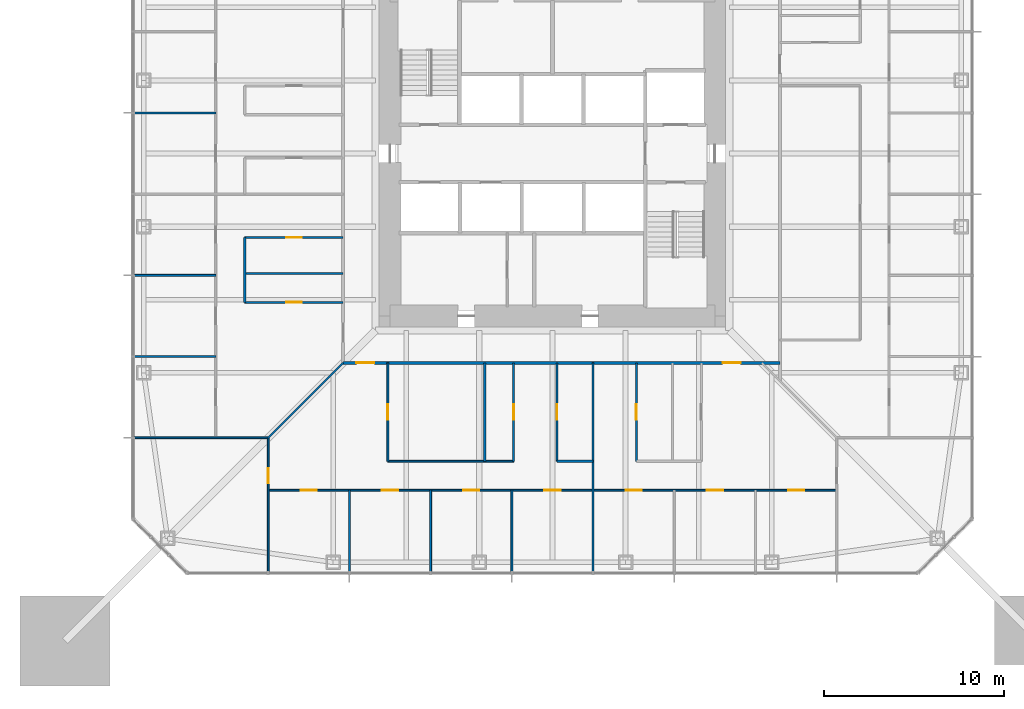
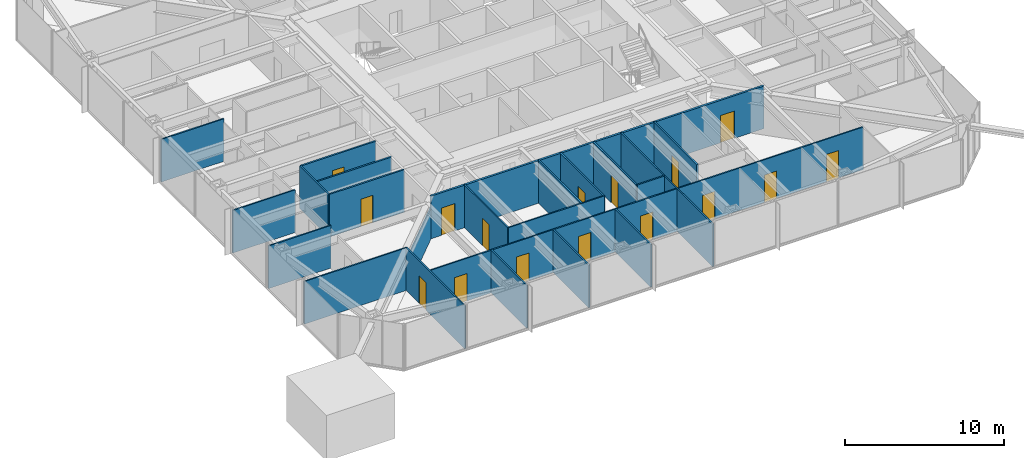
# One storey, part 14 of 26: 23 walls, 16 doors, 16 openings.
"""IFC4 building model written with IfcOpenShell, lengths in metres."""

from ifc_helpers import new_model, si_unit, direction, frame, frame_2d, origin, place, context, subcontext, project, spatial, rectangle, extrude, material, layer, layer_set, type_object, element, fill, save


model = new_model("IFC4")

# Units and contexts
model_context = context("Model", 3, precision=1e-05, world=origin(), true_north=direction((0.0, 1.0)))
body_context = subcontext(model_context, "Body", "Model", "MODEL_VIEW")
ifc_project = project(units=[si_unit("LENGTHUNIT", "METRE"), si_unit("AREAUNIT", "SQUARE_METRE"), si_unit("VOLUMEUNIT", "CUBIC_METRE"), si_unit("PLANEANGLEUNIT", "RADIAN"), si_unit("MASSUNIT", "GRAM", prefix="KILO")], contexts=[model_context])

# Site, building, storey
site_placement = place(None, origin())
site = spatial("IfcSite", under=ifc_project, at=site_placement, CompositionType="ELEMENT")
building_placement = place(site_placement, origin())
building = spatial("IfcBuilding", under=site, at=building_placement, Name="Iwan Alto Co-Living Towers", CompositionType="ELEMENT")
storey_placement = place(building_placement, frame((0.0, 0.0, 67.5)))
storey = spatial("IfcBuildingStorey", under=building, at=storey_placement, Name="L18", CompositionType="ELEMENT", Elevation=67.5)

# Wall, openings, doors
ifc_material_1 = material(Name="Gypsum board")
ifc_layer_1 = layer(ifc_material_1, 0.02490234375, Name="Board", Category="Finish")
ifc_material_2 = material(Name="Steel ASTM A1003 ST33H cold-formed studs", Category="steel")
ifc_layer_2 = layer(ifc_material_2, 0.10009765625, Name="Studs", Category="Framing")
ifc_layer_3 = layer(ifc_material_1, 0.02490234375, Name="Board", Category="Finish")
ifc_layer_set_1 = layer_set([ifc_layer_1, ifc_layer_2, ifc_layer_3], Name="CORRIDOR WALL 150")
wall_type_1 = type_object("IfcWallType", Name="CORRIDOR WALL 150", PredefinedType="PARTITIONING", material=ifc_layer_set_1)
wall_1_placement = place(storey_placement, frame((-11.60009765625, -11.60009765625, 0.0), z_axis=(0.0, 0.0, 1.0), x_axis=(1.0, 0.0, 0.0)))
wall_1 = element("IfcWall", 1, at=wall_1_placement, inside=storey, type_object=wall_type_1, Name="Partition L18", PredefinedType="PARTITIONING", context=body_context, shape_type="SweptSolid", body=[
    extrude(rectangle(XDim=24.2001953125, YDim=0.14990234375, at=frame_2d((12.10009765625, 0.0))), origin(), (0.0, 0.0, 1.0), 3.27001953125),
])
opening_1_placement = place(wall_1_placement, frame((0.739990234375, 0.0, 0.0)))
opening_1 = element("IfcOpeningElement", 2, at=opening_1_placement, cuts=wall_1, Name="Opening D3", PredefinedType="OPENING", context=body_context, shape_type="SweptSolid", body=[
    extrude(rectangle(XDim=1.0, YDim=2.10009765625, at=frame_2d((0.5, 1.050048828125))), frame((0.0, 0.0849609375, 0.0), z_axis=(0.0, -1.0, 0.0), x_axis=(1.0, 0.0, 0.0)), (0.0, 0.0, 1.0), 0.169921875),
])
opening_2_placement = place(wall_1_placement, frame((21.02490234375, 0.0, 0.0)))
opening_2 = element("IfcOpeningElement", 3, at=opening_2_placement, cuts=wall_1, Name="Opening D3", PredefinedType="OPENING", context=body_context, shape_type="SweptSolid", body=[
    extrude(rectangle(XDim=1.0, YDim=2.10009765625, at=frame_2d((0.5, 1.050048828125))), frame((0.0, 0.0849609375, 0.0), z_axis=(0.0, -1.0, 0.0), x_axis=(1.0, 0.0, 0.0)), (0.0, 0.0, 1.0), 0.169921875),
])
ifc_material_3 = material(Name="Steel frame with timber leaf", Category="steel")
door_type_1 = type_object("IfcDoorType", Name="FLAT ENTRANCE DOOR FD30S 1000X2100", OperationType="SINGLE_SWING_LEFT", PredefinedType="DOOR", material=ifc_material_3)
door_1_placement = place(opening_1_placement, frame((1.0, 0.0, 0.0), z_axis=(0.0, 0.0, 1.0), x_axis=(-1.0, 0.0, 0.0)))
door_1 = element("IfcDoor", 4, at=door_1_placement, inside=storey, type_object=door_type_1, Name="Cluster lounge door L18", OperationType="SINGLE_SWING_LEFT", OverallHeight=2.10009765625, OverallWidth=1.0, PredefinedType="DOOR", context=body_context, shape_type="SweptSolid", body=[
    extrude(rectangle(XDim=1.0, YDim=2.10009765625, at=frame_2d((0.5, 1.050048828125))), frame((0.0, 0.02490234375, 0.0), z_axis=(0.0, -1.0, 0.0), x_axis=(1.0, 0.0, 0.0)), (0.0, 0.0, 1.0), 0.050048828125),
])
fill(opening_1, door_1)
door_2_placement = place(opening_2_placement, frame((1.0, 0.0, 0.0), z_axis=(0.0, 0.0, 1.0), x_axis=(-1.0, 0.0, 0.0)))
door_2 = element("IfcDoor", 5, at=door_2_placement, inside=storey, type_object=door_type_1, Name="Cluster lounge door L18", OperationType="SINGLE_SWING_RIGHT", OverallHeight=2.10009765625, OverallWidth=1.0, PredefinedType="DOOR", context=body_context, shape_type="SweptSolid", body=[
    extrude(rectangle(XDim=1.0, YDim=2.10009765625, at=frame_2d((0.5, 1.050048828125))), frame((0.0, 0.02490234375, 0.0), z_axis=(0.0, -1.0, 0.0), x_axis=(1.0, 0.0, 0.0)), (0.0, 0.0, 1.0), 0.050048828125),
])
fill(opening_2, door_2)

ifc_layer_4 = layer(ifc_material_1, 0.012451171875, Name="Board", Category="Finish")
ifc_layer_5 = layer(ifc_material_2, 0.074951171875, Name="Studs", Category="Framing")
ifc_layer_6 = layer(ifc_material_1, 0.012451171875, Name="Board", Category="Finish")
ifc_layer_set_2 = layer_set([ifc_layer_4, ifc_layer_5, ifc_layer_6], Name="PARTITION 100")
wall_type_2 = type_object("IfcWallType", Name="PARTITION 100", PredefinedType="PARTITIONING", material=ifc_layer_set_2)
wall_2_placement = place(storey_placement, frame((-15.75, -18.64990234375, 0.0), z_axis=(0.0, 0.0, 1.0), x_axis=(1.0, 0.0, 0.0)))
wall_2 = element("IfcWall", 6, at=wall_2_placement, inside=storey, type_object=wall_type_2, Name="Partition L18", PredefinedType="PARTITIONING", context=body_context, shape_type="SweptSolid", body=[
    extrude(rectangle(XDim=31.5, YDim=0.10009765625, at=frame_2d((15.75, 0.0))), origin(), (0.0, 0.0, 1.0), 3.27001953125),
])
opening_3_placement = place(wall_2_placement, frame((1.800048828125, 0.0, 0.0)))
opening_3 = element("IfcOpeningElement", 7, at=opening_3_placement, cuts=wall_2, Name="Opening D1", PredefinedType="OPENING", context=body_context, shape_type="SweptSolid", body=[
    extrude(rectangle(XDim=0.89990234375, YDim=2.10009765625, at=frame_2d((0.449951171875, 1.050048828125))), frame((0.0, 0.06005859375, 0.0), z_axis=(0.0, -1.0, 0.0), x_axis=(1.0, 0.0, 0.0)), (0.0, 0.0, 1.0), 0.1201171875),
])
opening_4_placement = place(wall_2_placement, frame((6.300048828125, 0.0, 0.0)))
opening_4 = element("IfcOpeningElement", 8, at=opening_4_placement, cuts=wall_2, Name="Opening D1", PredefinedType="OPENING", context=body_context, shape_type="SweptSolid", body=[
    extrude(rectangle(XDim=0.89990234375, YDim=2.10009765625, at=frame_2d((0.449951171875, 1.050048828125))), frame((0.0, 0.06005859375, 0.0), z_axis=(0.0, -1.0, 0.0), x_axis=(1.0, 0.0, 0.0)), (0.0, 0.0, 1.0), 0.1201171875),
])
opening_5_placement = place(wall_2_placement, frame((10.800048828125, 0.0, 0.0)))
opening_5 = element("IfcOpeningElement", 9, at=opening_5_placement, cuts=wall_2, Name="Opening D1", PredefinedType="OPENING", context=body_context, shape_type="SweptSolid", body=[
    extrude(rectangle(XDim=0.89990234375, YDim=2.10009765625, at=frame_2d((0.449951171875, 1.050048828125))), frame((0.0, 0.06005859375, 0.0), z_axis=(0.0, -1.0, 0.0), x_axis=(1.0, 0.0, 0.0)), (0.0, 0.0, 1.0), 0.1201171875),
])
opening_6_placement = place(wall_2_placement, frame((15.300048828125, 0.0, 0.0)))
opening_6 = element("IfcOpeningElement", 10, at=opening_6_placement, cuts=wall_2, Name="Opening D1", PredefinedType="OPENING", context=body_context, shape_type="SweptSolid", body=[
    extrude(rectangle(XDim=0.89990234375, YDim=2.10009765625, at=frame_2d((0.449951171875, 1.050048828125))), frame((0.0, 0.06005859375, 0.0), z_axis=(0.0, -1.0, 0.0), x_axis=(1.0, 0.0, 0.0)), (0.0, 0.0, 1.0), 0.1201171875),
])
opening_7_placement = place(wall_2_placement, frame((19.800048828125, 0.0, 0.0)))
opening_7 = element("IfcOpeningElement", 11, at=opening_7_placement, cuts=wall_2, Name="Opening D1", PredefinedType="OPENING", context=body_context, shape_type="SweptSolid", body=[
    extrude(rectangle(XDim=0.89990234375, YDim=2.10009765625, at=frame_2d((0.449951171875, 1.050048828125))), frame((0.0, 0.06005859375, 0.0), z_axis=(0.0, -1.0, 0.0), x_axis=(1.0, 0.0, 0.0)), (0.0, 0.0, 1.0), 0.1201171875),
])
opening_8_placement = place(wall_2_placement, frame((24.300048828125, 0.0, 0.0)))
opening_8 = element("IfcOpeningElement", 12, at=opening_8_placement, cuts=wall_2, Name="Opening D1", PredefinedType="OPENING", context=body_context, shape_type="SweptSolid", body=[
    extrude(rectangle(XDim=0.89990234375, YDim=2.10009765625, at=frame_2d((0.449951171875, 1.050048828125))), frame((0.0, 0.06005859375, 0.0), z_axis=(0.0, -1.0, 0.0), x_axis=(1.0, 0.0, 0.0)), (0.0, 0.0, 1.0), 0.1201171875),
])
opening_9_placement = place(wall_2_placement, frame((28.800048828125, 0.0, 0.0)))
opening_9 = element("IfcOpeningElement", 13, at=opening_9_placement, cuts=wall_2, Name="Opening D1", PredefinedType="OPENING", context=body_context, shape_type="SweptSolid", body=[
    extrude(rectangle(XDim=0.89990234375, YDim=2.10009765625, at=frame_2d((0.449951171875, 1.050048828125))), frame((0.0, 0.06005859375, 0.0), z_axis=(0.0, -1.0, 0.0), x_axis=(1.0, 0.0, 0.0)), (0.0, 0.0, 1.0), 0.1201171875),
])
ifc_material_4 = material(Name="Timber leaf in steel frame", Category="steel")
door_type_2 = type_object("IfcDoorType", Name="BEDROOM DOOR 900X2100", OperationType="SINGLE_SWING_LEFT", PredefinedType="DOOR", material=ifc_material_4)
door_3_placement = place(opening_3_placement, origin())
door_3 = element("IfcDoor", 14, at=door_3_placement, inside=storey, type_object=door_type_2, Name="Study bedroom door L18", OperationType="SINGLE_SWING_LEFT", OverallHeight=2.10009765625, OverallWidth=0.89990234375, PredefinedType="DOOR", context=body_context, shape_type="SweptSolid", body=[
    extrude(rectangle(XDim=0.89990234375, YDim=2.10009765625, at=frame_2d((0.449951171875, 1.050048828125))), frame((0.0, 0.02490234375, 0.0), z_axis=(0.0, -1.0, 0.0), x_axis=(1.0, 0.0, 0.0)), (0.0, 0.0, 1.0), 0.050048828125),
])
fill(opening_3, door_3)
door_4_placement = place(opening_4_placement, origin())
door_4 = element("IfcDoor", 15, at=door_4_placement, inside=storey, type_object=door_type_2, Name="Study bedroom door L18", OperationType="SINGLE_SWING_LEFT", OverallHeight=2.10009765625, OverallWidth=0.89990234375, PredefinedType="DOOR", context=body_context, shape_type="SweptSolid", body=[
    extrude(rectangle(XDim=0.89990234375, YDim=2.10009765625, at=frame_2d((0.449951171875, 1.050048828125))), frame((0.0, 0.02490234375, 0.0), z_axis=(0.0, -1.0, 0.0), x_axis=(1.0, 0.0, 0.0)), (0.0, 0.0, 1.0), 0.050048828125),
])
fill(opening_4, door_4)
door_5_placement = place(opening_5_placement, origin())
door_5 = element("IfcDoor", 16, at=door_5_placement, inside=storey, type_object=door_type_2, Name="Study bedroom door L18", OperationType="SINGLE_SWING_RIGHT", OverallHeight=2.10009765625, OverallWidth=0.89990234375, PredefinedType="DOOR", context=body_context, shape_type="SweptSolid", body=[
    extrude(rectangle(XDim=0.89990234375, YDim=2.10009765625, at=frame_2d((0.449951171875, 1.050048828125))), frame((0.0, 0.02490234375, 0.0), z_axis=(0.0, -1.0, 0.0), x_axis=(1.0, 0.0, 0.0)), (0.0, 0.0, 1.0), 0.050048828125),
])
fill(opening_5, door_5)
door_6_placement = place(opening_6_placement, origin())
door_6 = element("IfcDoor", 17, at=door_6_placement, inside=storey, type_object=door_type_2, Name="Study bedroom door L18", OperationType="SINGLE_SWING_RIGHT", OverallHeight=2.10009765625, OverallWidth=0.89990234375, PredefinedType="DOOR", context=body_context, shape_type="SweptSolid", body=[
    extrude(rectangle(XDim=0.89990234375, YDim=2.10009765625, at=frame_2d((0.449951171875, 1.050048828125))), frame((0.0, 0.02490234375, 0.0), z_axis=(0.0, -1.0, 0.0), x_axis=(1.0, 0.0, 0.0)), (0.0, 0.0, 1.0), 0.050048828125),
])
fill(opening_6, door_6)
door_7_placement = place(opening_7_placement, origin())
door_7 = element("IfcDoor", 18, at=door_7_placement, inside=storey, type_object=door_type_2, Name="Study bedroom door L18", OperationType="SINGLE_SWING_LEFT", OverallHeight=2.10009765625, OverallWidth=0.89990234375, PredefinedType="DOOR", context=body_context, shape_type="SweptSolid", body=[
    extrude(rectangle(XDim=0.89990234375, YDim=2.10009765625, at=frame_2d((0.449951171875, 1.050048828125))), frame((0.0, 0.02490234375, 0.0), z_axis=(0.0, -1.0, 0.0), x_axis=(1.0, 0.0, 0.0)), (0.0, 0.0, 1.0), 0.050048828125),
])
fill(opening_7, door_7)
door_8_placement = place(opening_8_placement, origin())
door_8 = element("IfcDoor", 19, at=door_8_placement, inside=storey, type_object=door_type_2, Name="Study bedroom door L18", OperationType="SINGLE_SWING_LEFT", OverallHeight=2.10009765625, OverallWidth=0.89990234375, PredefinedType="DOOR", context=body_context, shape_type="SweptSolid", body=[
    extrude(rectangle(XDim=0.89990234375, YDim=2.10009765625, at=frame_2d((0.449951171875, 1.050048828125))), frame((0.0, 0.02490234375, 0.0), z_axis=(0.0, -1.0, 0.0), x_axis=(1.0, 0.0, 0.0)), (0.0, 0.0, 1.0), 0.050048828125),
])
fill(opening_8, door_8)
door_9_placement = place(opening_9_placement, origin())
door_9 = element("IfcDoor", 20, at=door_9_placement, inside=storey, type_object=door_type_2, Name="Study bedroom door L18", OperationType="SINGLE_SWING_RIGHT", OverallHeight=2.10009765625, OverallWidth=0.89990234375, PredefinedType="DOOR", context=body_context, shape_type="SweptSolid", body=[
    extrude(rectangle(XDim=0.89990234375, YDim=2.10009765625, at=frame_2d((0.449951171875, 1.050048828125))), frame((0.0, 0.02490234375, 0.0), z_axis=(0.0, -1.0, 0.0), x_axis=(1.0, 0.0, 0.0)), (0.0, 0.0, 1.0), 0.050048828125),
])
fill(opening_9, door_9)

# Walls
wall_3_placement = place(storey_placement, frame((-9.1201171875, -17.050048828125, 0.0), z_axis=(0.0, 0.0, 1.0), x_axis=(1.0, 0.0, 0.0)))
element("IfcWall", 21, at=wall_3_placement, inside=storey, type_object=wall_type_2, Name="Partition L18", PredefinedType="PARTITIONING", context=body_context, shape_type="SweptSolid", body=[
    extrude(rectangle(XDim=6.97021484375, YDim=0.10009765625, at=frame_2d((3.485107421875, 0.0))), origin(), (0.0, 0.0, 1.0), 3.27001953125),
])
wall_4_placement = place(storey_placement, frame((-23.18994140625, -15.75, 0.0), z_axis=(0.0, 0.0, 1.0), x_axis=(1.0, 0.0, 0.0)))
element("IfcWall", 22, at=wall_4_placement, inside=storey, type_object=wall_type_2, Name="Partition L18", PredefinedType="PARTITIONING", context=body_context, shape_type="SweptSolid", body=[
    extrude(rectangle(XDim=7.43994140625, YDim=0.10009765625, at=frame_2d((3.719970703125, 0.0))), origin(), (0.0, 0.0, 1.0), 3.27001953125),
])
for number, where, z_axis, x_axis, name in (
    (23, (-23.18994140625, -11.25, 0.0), (0.0, 0.0, 1.0), (1.0, 0.0, 0.0), "Partition L18"),
    (24, (-23.18994140625, -6.75, 0.0), (0.0, 0.0, 1.0), (1.0, 0.0, 0.0), "Partition L18"),
    (25, (-23.18994140625, 2.25, 0.0), (0.0, 0.0, 1.0), (1.0, 0.0, 0.0), "Partition L18"),
):
    element("IfcWall", number, at=place(storey_placement, frame(where, z_axis=z_axis, x_axis=x_axis)), inside=storey, type_object=wall_type_2, Name=name, PredefinedType="PARTITIONING", context=body_context, shape_type="SweptSolid", body=[
        extrude(rectangle(XDim=4.5400390625, YDim=0.10009765625, at=frame_2d((2.27001953125, 0.0))), origin(), (0.0, 0.0, 1.0), 3.27001953125),
    ])
wall_5_placement = place(storey_placement, frame((-15.75, -15.75, 0.0), z_axis=(0.0, 0.0, 1.0), x_axis=(0.707106781187, 0.707106781187, 0.0)))
element("IfcWall", 26, at=wall_5_placement, inside=storey, type_object=wall_type_2, Name="Partition L18", PredefinedType="PARTITIONING", context=body_context, shape_type="SweptSolid", body=[
    extrude(rectangle(XDim=5.868896484375, YDim=0.10009765625, at=frame_2d((2.9345703125, 0.0))), origin(), (0.0, 0.0, 1.0), 2.343017578125),
])
wall_6_placement = place(storey_placement, frame((2.25, -23.18994140625, 0.0), z_axis=(0.0, 0.0, 1.0), x_axis=(0.0, 1.0, 0.0)))
element("IfcWall", 27, at=wall_6_placement, inside=storey, type_object=wall_type_2, Name="Partition L18", PredefinedType="PARTITIONING", context=body_context, shape_type="SweptSolid", body=[
    extrude(rectangle(XDim=11.58984375, YDim=0.10009765625, at=frame_2d((5.794921875, 0.0))), origin(), (0.0, 0.0, 1.0), 3.27001953125),
])
for number, where, z_axis, x_axis, name in (
    (28, (-2.25, -23.18994140625, 0.0), (0.0, 0.0, 1.0), (0.0, 1.0, 0.0), "Partition L18"),
    (29, (-6.75, -23.18994140625, 0.0), (0.0, 0.0, 1.0), (0.0, 1.0, 0.0), "Partition L18"),
):
    element("IfcWall", number, at=place(storey_placement, frame(where, z_axis=z_axis, x_axis=x_axis)), inside=storey, type_object=wall_type_2, Name=name, PredefinedType="PARTITIONING", context=body_context, shape_type="SweptSolid", body=[
        extrude(rectangle(XDim=4.5400390625, YDim=0.10009765625, at=frame_2d((2.27001953125, 0.0))), origin(), (0.0, 0.0, 1.0), 3.27001953125),
    ])

# Wall, opening, door
wall_7_placement = place(storey_placement, frame((-9.1201171875, -17.050048828125, 0.0), z_axis=(0.0, 0.0, 1.0), x_axis=(0.0, 1.0, 0.0)))
wall_7 = element("IfcWall", 30, at=wall_7_placement, inside=storey, type_object=wall_type_2, Name="Partition L18", PredefinedType="PARTITIONING", context=body_context, shape_type="SweptSolid", body=[
    extrude(rectangle(XDim=5.449951171875, YDim=0.10009765625, at=frame_2d((2.72509765625, 0.0))), origin(), (0.0, 0.0, 1.0), 3.27001953125),
])
opening_10_placement = place(wall_7_placement, frame((2.300048828125, 0.0, 0.0)))
opening_10 = element("IfcOpeningElement", 31, at=opening_10_placement, cuts=wall_7, Name="Opening D2", PredefinedType="OPENING", context=body_context, shape_type="SweptSolid", body=[
    extrude(rectangle(XDim=0.85009765625, YDim=2.10009765625, at=frame_2d((0.425048828125, 1.050048828125))), frame((0.0, 0.06005859375, 0.0), z_axis=(0.0, -1.0, 0.0), x_axis=(1.0, 0.0, 0.0)), (0.0, 0.0, 1.0), 0.1201171875),
])
ifc_material_5 = material(Name="Timber leaf in steel frame", Category="steel")
door_type_3 = type_object("IfcDoorType", Name="ROOM DOOR 850X2100", OperationType="SINGLE_SWING_LEFT", PredefinedType="DOOR", material=ifc_material_5)
door_10_placement = place(opening_10_placement, origin())
door_10 = element("IfcDoor", 32, at=door_10_placement, inside=storey, type_object=door_type_3, Name="Study room door L18", OperationType="SINGLE_SWING_RIGHT", OverallHeight=2.10009765625, OverallWidth=0.85009765625, PredefinedType="DOOR", context=body_context, shape_type="SweptSolid", body=[
    extrude(rectangle(XDim=0.85009765625, YDim=2.10009765625, at=frame_2d((0.425048828125, 1.050048828125))), frame((0.0, 0.02490234375, 0.0), z_axis=(0.0, -1.0, 0.0), x_axis=(1.0, 0.0, 0.0)), (0.0, 0.0, 1.0), 0.050048828125),
])
fill(opening_10, door_10)

# Wall
wall_8_placement = place(storey_placement, frame((-11.25, -23.18994140625, 0.0), z_axis=(0.0, 0.0, 1.0), x_axis=(0.0, 1.0, 0.0)))
element("IfcWall", 33, at=wall_8_placement, inside=storey, type_object=wall_type_2, Name="Partition L18", PredefinedType="PARTITIONING", context=body_context, shape_type="SweptSolid", body=[
    extrude(rectangle(XDim=4.5400390625, YDim=0.10009765625, at=frame_2d((2.27001953125, 0.0))), origin(), (0.0, 0.0, 1.0), 3.27001953125),
])

# Wall, opening, door
wall_9_placement = place(storey_placement, frame((-15.75, -23.18994140625, 0.0), z_axis=(0.0, 0.0, 1.0), x_axis=(0.0, 1.0, 0.0)))
wall_9 = element("IfcWall", 34, at=wall_9_placement, inside=storey, type_object=wall_type_2, Name="Partition L18", PredefinedType="PARTITIONING", context=body_context, shape_type="SweptSolid", body=[
    extrude(rectangle(XDim=7.43994140625, YDim=0.10009765625, at=frame_2d((3.719970703125, 0.0))), origin(), (0.0, 0.0, 1.0), 3.27001953125),
])
opening_11_placement = place(wall_9_placement, frame((4.9150390625, 0.0, 0.0)))
opening_11 = element("IfcOpeningElement", 35, at=opening_11_placement, cuts=wall_9, Name="Opening D2", PredefinedType="OPENING", context=body_context, shape_type="SweptSolid", body=[
    extrude(rectangle(XDim=0.85009765625, YDim=2.10009765625, at=frame_2d((0.425048828125, 1.050048828125))), frame((0.0, 0.06005859375, 0.0), z_axis=(0.0, -1.0, 0.0), x_axis=(1.0, 0.0, 0.0)), (0.0, 0.0, 1.0), 0.1201171875),
])
door_11_placement = place(opening_11_placement, frame((0.85009765625, 0.0, 0.0), z_axis=(0.0, 0.0, 1.0), x_axis=(-1.0, 0.0, 0.0)))
door_11 = element("IfcDoor", 36, at=door_11_placement, inside=storey, type_object=door_type_3, Name="Shared kitchen and dining room door L18", OperationType="SINGLE_SWING_RIGHT", OverallHeight=2.10009765625, OverallWidth=0.85009765625, PredefinedType="DOOR", context=body_context, shape_type="SweptSolid", body=[
    extrude(rectangle(XDim=0.85009765625, YDim=2.10009765625, at=frame_2d((0.425048828125, 1.050048828125))), frame((0.0, 0.02490234375, 0.0), z_axis=(0.0, -1.0, 0.0), x_axis=(1.0, 0.0, 0.0)), (0.0, 0.0, 1.0), 0.050048828125),
])
fill(opening_11, door_11)

# Wall
ifc_material_6 = material(Name="Cement board")
ifc_layer_7 = layer(ifc_material_6, 0.012451171875, Name="Board", Category="Finish")
ifc_layer_8 = layer(ifc_material_2, 0.094970703125, Name="Studs", Category="Framing")
ifc_layer_9 = layer(ifc_material_6, 0.012451171875, Name="Board", Category="Finish")
ifc_layer_set_3 = layer_set([ifc_layer_7, ifc_layer_8, ifc_layer_9], Name="WET AREA PARTITION 120")
wall_type_3 = type_object("IfcWallType", Name="WET AREA PARTITION 120", PredefinedType="PARTITIONING", material=ifc_layer_set_3)
wall_10_placement = place(storey_placement, frame((0.25, -17.050048828125, 0.0), z_axis=(0.0, 0.0, 1.0), x_axis=(1.0, 0.0, 0.0)))
element("IfcWall", 37, at=wall_10_placement, inside=storey, type_object=wall_type_3, Name="Partition L18", PredefinedType="PARTITIONING", context=body_context, shape_type="SweptSolid", body=[
    extrude(rectangle(XDim=2.0, YDim=0.1201171875, at=frame_2d((1.0, 0.0))), origin(), (0.0, 0.0, 1.0), 3.27001953125),
])

# Wall, opening, door
wall_11_placement = place(storey_placement, frame((-17.050048828125, -8.25, 0.0), z_axis=(0.0, 0.0, 1.0), x_axis=(1.0, 0.0, 0.0)))
wall_11 = element("IfcWall", 38, at=wall_11_placement, inside=storey, type_object=wall_type_3, Name="Partition L18", PredefinedType="PARTITIONING", context=body_context, shape_type="SweptSolid", body=[
    extrude(rectangle(XDim=5.449951171875, YDim=0.1201171875, at=frame_2d((2.72509765625, 0.0))), origin(), (0.0, 0.0, 1.0), 3.27001953125),
])
opening_12_placement = place(wall_11_placement, frame((2.300048828125, 0.0, 0.0)))
opening_12 = element("IfcOpeningElement", 39, at=opening_12_placement, cuts=wall_11, Name="Opening D2", PredefinedType="OPENING", context=body_context, shape_type="SweptSolid", body=[
    extrude(rectangle(XDim=0.85009765625, YDim=2.10009765625, at=frame_2d((0.425048828125, 1.050048828125))), frame((0.0, 0.070068359375, 0.0), z_axis=(0.0, -1.0, 0.0), x_axis=(1.0, 0.0, 0.0)), (0.0, 0.0, 1.0), 0.14013671875),
])
door_12_placement = place(opening_12_placement, frame((0.85009765625, 0.0, 0.0), z_axis=(0.0, 0.0, 1.0), x_axis=(-1.0, 0.0, 0.0)))
door_12 = element("IfcDoor", 40, at=door_12_placement, inside=storey, type_object=door_type_3, Name="Accessible bathroom door L18", OperationType="SINGLE_SWING_LEFT", OverallHeight=2.10009765625, OverallWidth=0.85009765625, PredefinedType="DOOR", context=body_context, shape_type="SweptSolid", body=[
    extrude(rectangle(XDim=0.85009765625, YDim=2.10009765625, at=frame_2d((0.425048828125, 1.050048828125))), frame((0.0, 0.02490234375, 0.0), z_axis=(0.0, -1.0, 0.0), x_axis=(1.0, 0.0, 0.0)), (0.0, 0.0, 1.0), 0.050048828125),
])
fill(opening_12, door_12)

# Wall
wall_12_placement = place(storey_placement, frame((-17.050048828125, -6.64990234375, 0.0), z_axis=(0.0, 0.0, 1.0), x_axis=(1.0, 0.0, 0.0)))
element("IfcWall", 41, at=wall_12_placement, inside=storey, type_object=wall_type_3, Name="Partition L18", PredefinedType="PARTITIONING", context=body_context, shape_type="SweptSolid", body=[
    extrude(rectangle(XDim=5.449951171875, YDim=0.1201171875, at=frame_2d((2.72509765625, 0.0))), origin(), (0.0, 0.0, 1.0), 3.27001953125),
])

# Wall, opening, door
wall_13_placement = place(storey_placement, frame((-17.050048828125, -4.64990234375, 0.0), z_axis=(0.0, 0.0, 1.0), x_axis=(1.0, 0.0, 0.0)))
wall_13 = element("IfcWall", 42, at=wall_13_placement, inside=storey, type_object=wall_type_3, Name="Partition L18", PredefinedType="PARTITIONING", context=body_context, shape_type="SweptSolid", body=[
    extrude(rectangle(XDim=5.449951171875, YDim=0.1201171875, at=frame_2d((2.72509765625, 0.0))), origin(), (0.0, 0.0, 1.0), 3.27001953125),
])
opening_13_placement = place(wall_13_placement, frame((2.300048828125, 0.0, 0.0)))
opening_13 = element("IfcOpeningElement", 43, at=opening_13_placement, cuts=wall_13, Name="Opening D2", PredefinedType="OPENING", context=body_context, shape_type="SweptSolid", body=[
    extrude(rectangle(XDim=0.85009765625, YDim=2.10009765625, at=frame_2d((0.425048828125, 1.050048828125))), frame((0.0, 0.070068359375, 0.0), z_axis=(0.0, -1.0, 0.0), x_axis=(1.0, 0.0, 0.0)), (0.0, 0.0, 1.0), 0.14013671875),
])
door_13_placement = place(opening_13_placement, origin())
door_13 = element("IfcDoor", 44, at=door_13_placement, inside=storey, type_object=door_type_3, Name="Laundry door L18", OperationType="SINGLE_SWING_RIGHT", OverallHeight=2.10009765625, OverallWidth=0.85009765625, PredefinedType="DOOR", context=body_context, shape_type="SweptSolid", body=[
    extrude(rectangle(XDim=0.85009765625, YDim=2.10009765625, at=frame_2d((0.425048828125, 1.050048828125))), frame((0.0, 0.02490234375, 0.0), z_axis=(0.0, -1.0, 0.0), x_axis=(1.0, 0.0, 0.0)), (0.0, 0.0, 1.0), 0.050048828125),
])
fill(opening_13, door_13)

wall_14_placement = place(storey_placement, frame((4.64990234375, -17.050048828125, 0.0), z_axis=(0.0, 0.0, 1.0), x_axis=(0.0, 1.0, 0.0)))
wall_14 = element("IfcWall", 45, at=wall_14_placement, inside=storey, type_object=wall_type_3, Name="Partition L18", PredefinedType="PARTITIONING", context=body_context, shape_type="SweptSolid", body=[
    extrude(rectangle(XDim=5.449951171875, YDim=0.1201171875, at=frame_2d((2.72509765625, 0.0))), origin(), (0.0, 0.0, 1.0), 3.27001953125),
])
opening_14_placement = place(wall_14_placement, frame((2.300048828125, 0.0, 0.0)))
opening_14 = element("IfcOpeningElement", 46, at=opening_14_placement, cuts=wall_14, Name="Opening D2", PredefinedType="OPENING", context=body_context, shape_type="SweptSolid", body=[
    extrude(rectangle(XDim=0.85009765625, YDim=2.10009765625, at=frame_2d((0.425048828125, 1.050048828125))), frame((0.0, 0.070068359375, 0.0), z_axis=(0.0, -1.0, 0.0), x_axis=(1.0, 0.0, 0.0)), (0.0, 0.0, 1.0), 0.14013671875),
])
door_14_placement = place(opening_14_placement, origin())
door_14 = element("IfcDoor", 47, at=door_14_placement, inside=storey, type_object=door_type_3, Name="Laundry door L18", OperationType="SINGLE_SWING_RIGHT", OverallHeight=2.10009765625, OverallWidth=0.85009765625, PredefinedType="DOOR", context=body_context, shape_type="SweptSolid", body=[
    extrude(rectangle(XDim=0.85009765625, YDim=2.10009765625, at=frame_2d((0.425048828125, 1.050048828125))), frame((0.0, 0.02490234375, 0.0), z_axis=(0.0, -1.0, 0.0), x_axis=(1.0, 0.0, 0.0)), (0.0, 0.0, 1.0), 0.050048828125),
])
fill(opening_14, door_14)

wall_15_placement = place(storey_placement, frame((0.25, -17.050048828125, 0.0), z_axis=(0.0, 0.0, 1.0), x_axis=(0.0, 1.0, 0.0)))
wall_15 = element("IfcWall", 48, at=wall_15_placement, inside=storey, type_object=wall_type_3, Name="Partition L18", PredefinedType="PARTITIONING", context=body_context, shape_type="SweptSolid", body=[
    extrude(rectangle(XDim=5.449951171875, YDim=0.1201171875, at=frame_2d((2.72509765625, 0.0))), origin(), (0.0, 0.0, 1.0), 3.27001953125),
])
opening_15_placement = place(wall_15_placement, frame((2.300048828125, 0.0, 0.0)))
opening_15 = element("IfcOpeningElement", 49, at=opening_15_placement, cuts=wall_15, Name="Opening D2", PredefinedType="OPENING", context=body_context, shape_type="SweptSolid", body=[
    extrude(rectangle(XDim=0.85009765625, YDim=2.10009765625, at=frame_2d((0.425048828125, 1.050048828125))), frame((0.0, 0.070068359375, 0.0), z_axis=(0.0, -1.0, 0.0), x_axis=(1.0, 0.0, 0.0)), (0.0, 0.0, 1.0), 0.14013671875),
])
door_15_placement = place(opening_15_placement, origin())
door_15 = element("IfcDoor", 50, at=door_15_placement, inside=storey, type_object=door_type_3, Name="Laundry door L18", OperationType="SINGLE_SWING_RIGHT", OverallHeight=2.10009765625, OverallWidth=0.85009765625, PredefinedType="DOOR", context=body_context, shape_type="SweptSolid", body=[
    extrude(rectangle(XDim=0.85009765625, YDim=2.10009765625, at=frame_2d((0.425048828125, 1.050048828125))), frame((0.0, 0.02490234375, 0.0), z_axis=(0.0, -1.0, 0.0), x_axis=(1.0, 0.0, 0.0)), (0.0, 0.0, 1.0), 0.050048828125),
])
fill(opening_15, door_15)

wall_16_placement = place(storey_placement, frame((-2.14990234375, -17.050048828125, 0.0), z_axis=(0.0, 0.0, 1.0), x_axis=(0.0, 1.0, 0.0)))
wall_16 = element("IfcWall", 51, at=wall_16_placement, inside=storey, type_object=wall_type_3, Name="Partition L18", PredefinedType="PARTITIONING", context=body_context, shape_type="SweptSolid", body=[
    extrude(rectangle(XDim=5.449951171875, YDim=0.1201171875, at=frame_2d((2.72509765625, 0.0))), origin(), (0.0, 0.0, 1.0), 3.27001953125),
])
opening_16_placement = place(wall_16_placement, frame((2.300048828125, 0.0, 0.0)))
opening_16 = element("IfcOpeningElement", 52, at=opening_16_placement, cuts=wall_16, Name="Opening D2", PredefinedType="OPENING", context=body_context, shape_type="SweptSolid", body=[
    extrude(rectangle(XDim=0.85009765625, YDim=2.10009765625, at=frame_2d((0.425048828125, 1.050048828125))), frame((0.0, 0.070068359375, 0.0), z_axis=(0.0, -1.0, 0.0), x_axis=(1.0, 0.0, 0.0)), (0.0, 0.0, 1.0), 0.14013671875),
])
door_16_placement = place(opening_16_placement, frame((0.85009765625, 0.0, 0.0), z_axis=(0.0, 0.0, 1.0), x_axis=(-1.0, 0.0, 0.0)))
door_16 = element("IfcDoor", 53, at=door_16_placement, inside=storey, type_object=door_type_3, Name="Accessible bathroom door L18", OperationType="SINGLE_SWING_LEFT", OverallHeight=2.10009765625, OverallWidth=0.85009765625, PredefinedType="DOOR", context=body_context, shape_type="SweptSolid", body=[
    extrude(rectangle(XDim=0.85009765625, YDim=2.10009765625, at=frame_2d((0.425048828125, 1.050048828125))), frame((0.0, 0.02490234375, 0.0), z_axis=(0.0, -1.0, 0.0), x_axis=(1.0, 0.0, 0.0)), (0.0, 0.0, 1.0), 0.050048828125),
])
fill(opening_16, door_16)

# Walls
wall_17_placement = place(storey_placement, frame((-3.75, -17.050048828125, 0.0), z_axis=(0.0, 0.0, 1.0), x_axis=(0.0, 1.0, 0.0)))
element("IfcWall", 54, at=wall_17_placement, inside=storey, type_object=wall_type_3, Name="Partition L18", PredefinedType="PARTITIONING", context=body_context, shape_type="SweptSolid", body=[
    extrude(rectangle(XDim=5.449951171875, YDim=0.1201171875, at=frame_2d((2.72509765625, 0.0))), origin(), (0.0, 0.0, 1.0), 3.27001953125),
])
wall_18_placement = place(storey_placement, frame((-17.050048828125, -8.25, 0.0), z_axis=(0.0, 0.0, 1.0), x_axis=(0.0, 1.0, 0.0)))
element("IfcWall", 55, at=wall_18_placement, inside=storey, type_object=wall_type_3, Name="Partition L18", PredefinedType="PARTITIONING", context=body_context, shape_type="SweptSolid", body=[
    extrude(rectangle(XDim=3.60009765625, YDim=0.1201171875, at=frame_2d((1.800048828125, 0.0))), origin(), (0.0, 0.0, 1.0), 3.27001953125),
])

save(model, "model.ifc")
